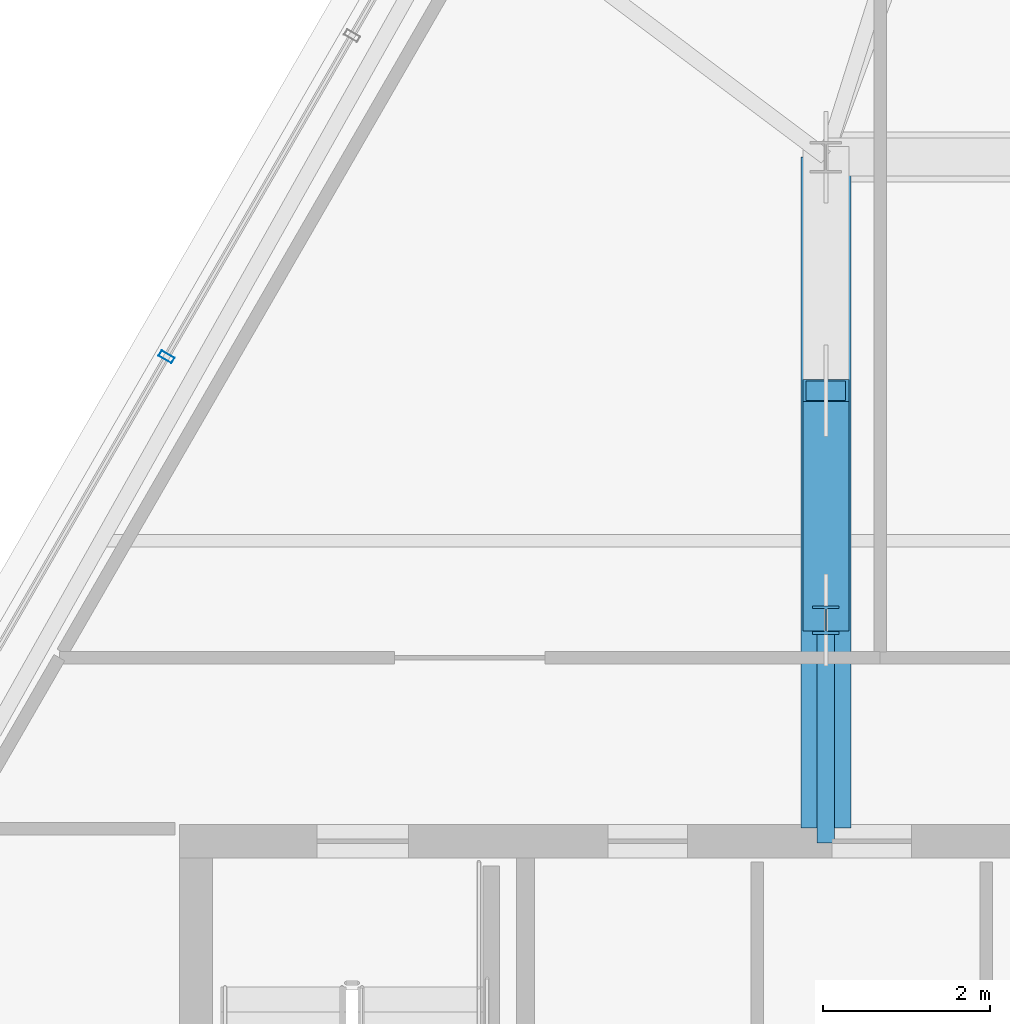
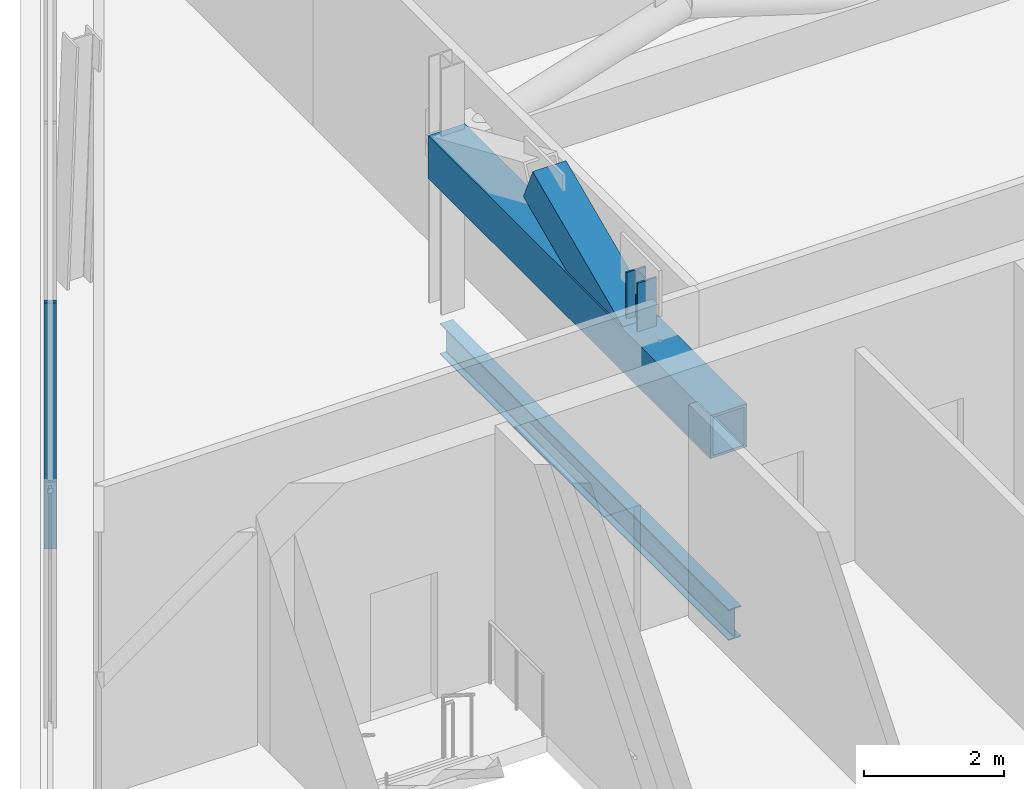
# One storey, part 7 of 32: 4 members, 1 beam, 1 element without a shape of its own.
"""IFC4 building model written with IfcOpenShell, lengths in metres."""

from ifc_helpers import new_model, si_unit, direction, frame, origin, origin_2d, place, context, subcontext, project, spatial, hollow_rectangle, i_section, extrude, material, layer, layer_set, material_profile, profile_set, type_object, element, aggregate, save


model = new_model("IFC4")

# Units and contexts
model_context = context("Model", 3, precision=1e-05, world=origin(), true_north=direction((0.0, 1.0)))
body_context = subcontext(model_context, "Body", "Model", "MODEL_VIEW")
ifc_project = project(units=[si_unit("LENGTHUNIT", "METRE"), si_unit("AREAUNIT", "SQUARE_METRE"), si_unit("VOLUMEUNIT", "CUBIC_METRE"), si_unit("PLANEANGLEUNIT", "RADIAN"), si_unit("MASSUNIT", "GRAM", prefix="KILO")], contexts=[model_context])

# Site, building, storey
site_placement = place(None, origin())
site = spatial("IfcSite", under=ifc_project, at=site_placement, CompositionType="ELEMENT")
building_placement = place(site_placement, origin())
building = spatial("IfcBuilding", under=site, at=building_placement, Name="Ndaravel Arena Tower", CompositionType="ELEMENT")
storey_placement = place(building_placement, frame((0.0, 0.0, 278.800048828125)))
storey = spatial("IfcBuildingStorey", under=building, at=storey_placement, Name="L68", CompositionType="ELEMENT", Elevation=278.800048828125)

# Beam
ifc_material_1 = material(Name="Steel S355", Category="steel")
ifc_material_profile_1 = material_profile(ifc_material_1, i_section(OverallWidth=0.210693359375, OverallDepth=0.53955078125, WebThickness=0.01171875, FlangeThickness=0.018798828125, FilletRadius=0.0126953125, at=origin_2d()), Name="UB 533x210x109")
ifc_profile_set_1 = profile_set([ifc_material_profile_1], Name="Steel S355")
beam_type = type_object("IfcBeamType", Name="BM-GIRD-UB533", PredefinedType="BEAM", material=ifc_profile_set_1)
beam_placement = place(storey_placement, frame((34.199951171875, 14.97998046875, -0.5498046875), z_axis=(0.0, 1.0, 0.0), x_axis=(-1.0, 0.0, 0.0)))
element("IfcBeam", 1, at=beam_placement, inside=storey, type_object=beam_type, Name="L68 Spine Link Girder SLG-01", PredefinedType="BEAM", context=body_context, shape_type="SweptSolid", body=[
    extrude(i_section(OverallWidth=0.210693359375, OverallDepth=0.53955078125, WebThickness=0.01171875, FlangeThickness=0.018798828125, FilletRadius=0.0126953125, at=origin_2d()), origin(), (0.0, 0.0, 1.0), 8.219970703125),
])

# Curtain wall, member
ifc_material_2 = material(Name="Aluminium", Category="aluminium")
ifc_layer = layer(ifc_material_2, 0.179931640625)
ifc_layer_set = layer_set([ifc_layer], Name="Aluminium")
curtain_wall_type = type_object("IfcCurtainWallType", Name="CW-SYS-03", PredefinedType="NOTDEFINED", material=ifc_layer_set)
curtain_wall_placement = place(storey_placement, origin())
curtain_wall = element("IfcCurtainWall", 2, at=curtain_wall_placement, inside=storey, type_object=curtain_wall_type, Name="L68 Faceted Crystal Curtain Wall CW-L68-E05", PredefinedType="NOTDEFINED")
ifc_material_3 = material(Name="Aluminium", Category="aluminium")
ifc_material_profile_2 = material_profile(ifc_material_3, hollow_rectangle(XDim=0.074951171875, YDim=0.179931640625, WallThickness=0.00390625, at=origin_2d()), Name="CW MULLION 75x180x4")
ifc_profile_set_2 = profile_set([ifc_material_profile_2], Name="Aluminium")
member_type_1 = type_object("IfcMemberType", Name="MEM-CW-MUL180", PredefinedType="MULLION", material=ifc_profile_set_2)
member_1_placement = place(storey_placement, frame((26.296630859375, 20.805419921875, 0.0), z_axis=(0.0, 0.0, 1.0), x_axis=(-0.5, -0.866025403784, 0.0)))
member_1 = element("IfcMember", 3, at=member_1_placement, type_object=member_type_1, Name="CW-L68-E05 Mullion 06", PredefinedType="MULLION", context=body_context, shape_type="SweptSolid", body=[
    extrude(hollow_rectangle(XDim=0.074951171875, YDim=0.179931640625, WallThickness=0.00390625, at=origin_2d()), origin(), (0.0, 0.0, 1.0), 4.280029296875),
])
aggregate(curtain_wall, [member_1])

# Members
ifc_material_4 = material(Name="Steel S460", Category="steel")
ifc_material_profile_3 = material_profile(ifc_material_4, hollow_rectangle(XDim=0.60009765625, YDim=0.75, WallThickness=0.044921875, at=origin_2d()), Name="BOX 750x600x45")
ifc_profile_set_3 = profile_set([ifc_material_profile_3], Name="Steel S460")
member_type_2 = type_object("IfcMemberType", Name="MEM-OT-CHORD", PredefinedType="CHORD", material=ifc_profile_set_3)
member_2_placement = place(storey_placement, frame((34.199951171875, 15.159912109375, 2.679931640625), z_axis=(0.0, 1.0, 0.0), x_axis=(-1.0, 0.0, 0.0)))
element("IfcMember", 4, at=member_2_placement, inside=storey, type_object=member_type_2, Name="Outrigger Truss OT-3.1 Bottom Chord", PredefinedType="CHORD", context=body_context, shape_type="SweptSolid", body=[
    extrude(hollow_rectangle(XDim=0.60009765625, YDim=0.75, WallThickness=0.044921875, at=origin_2d()), origin(), (0.0, 0.0, 1.0), 8.0400390625),
])
ifc_material_5 = material(Name="Steel S460", Category="steel")
ifc_material_profile_4 = material_profile(ifc_material_5, hollow_rectangle(XDim=0.550048828125, YDim=0.64990234375, WallThickness=0.0400390625, at=origin_2d()), Name="BOX 650x550x40")
ifc_profile_set_4 = profile_set([ifc_material_profile_4], Name="Steel S460")
member_type_3 = type_object("IfcMemberType", Name="MEM-OT-DIAG", PredefinedType="BRACE", material=ifc_profile_set_4)
member_3_placement = place(storey_placement, frame((34.199951171875, 17.64990234375, 2.679931640625), z_axis=(0.0, 0.914089090143, 0.405513421826), x_axis=(-1.0, 0.0, 0.0)))
element("IfcMember", 5, at=member_3_placement, inside=storey, type_object=member_type_3, Name="Outrigger Truss OT-3.1 Diagonal 1", PredefinedType="BRACE", context=body_context, shape_type="SweptSolid", body=[
    extrude(hollow_rectangle(XDim=0.550048828125, YDim=0.64990234375, WallThickness=0.0400390625, at=origin_2d()), origin(), (0.0, 0.0, 1.0), 3.008544921875),
])
ifc_material_6 = material(Name="Steel S460", Category="steel")
ifc_material_profile_5 = material_profile(ifc_material_6, i_section(OverallWidth=0.314453125, OverallDepth=0.33984375, WebThickness=0.01904296875, FlangeThickness=0.031494140625, FilletRadius=0.01513671875, at=origin_2d()), Name="UC 305x305x198")
ifc_profile_set_5 = profile_set([ifc_material_profile_5], Name="Steel S460")
member_type_4 = type_object("IfcMemberType", Name="MEM-OT-POST", PredefinedType="POST", material=ifc_profile_set_5)
member_4_placement = place(storey_placement, frame((34.199951171875, 17.64990234375, 2.679931640625), z_axis=(0.0, 0.0, 1.0), x_axis=(1.0, 0.0, 0.0)))
element("IfcMember", 6, at=member_4_placement, inside=storey, type_object=member_type_4, Name="Outrigger Truss OT-3.1 King Post", PredefinedType="POST", context=body_context, shape_type="SweptSolid", body=[
    extrude(i_section(OverallWidth=0.314453125, OverallDepth=0.33984375, WebThickness=0.01904296875, FlangeThickness=0.031494140625, FilletRadius=0.01513671875, at=origin_2d()), origin(), (0.0, 0.0, 1.0), 1.219970703125),
])

save(model, "model.ifc")
